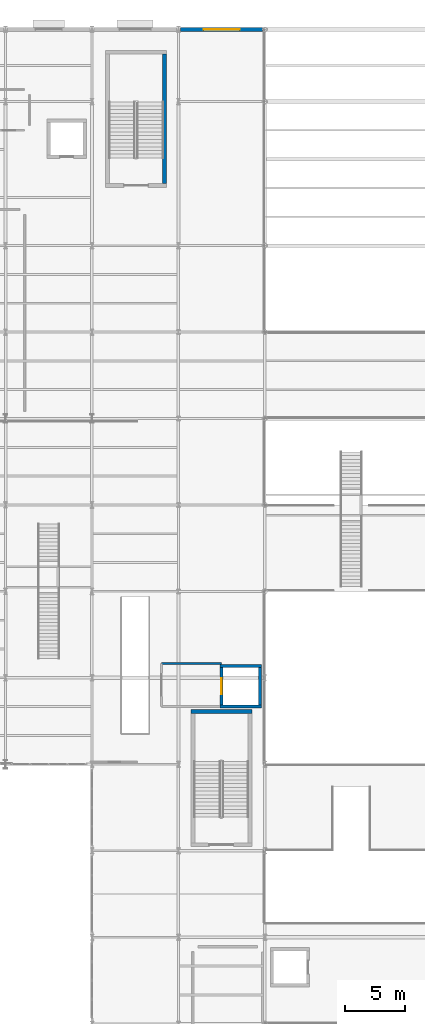
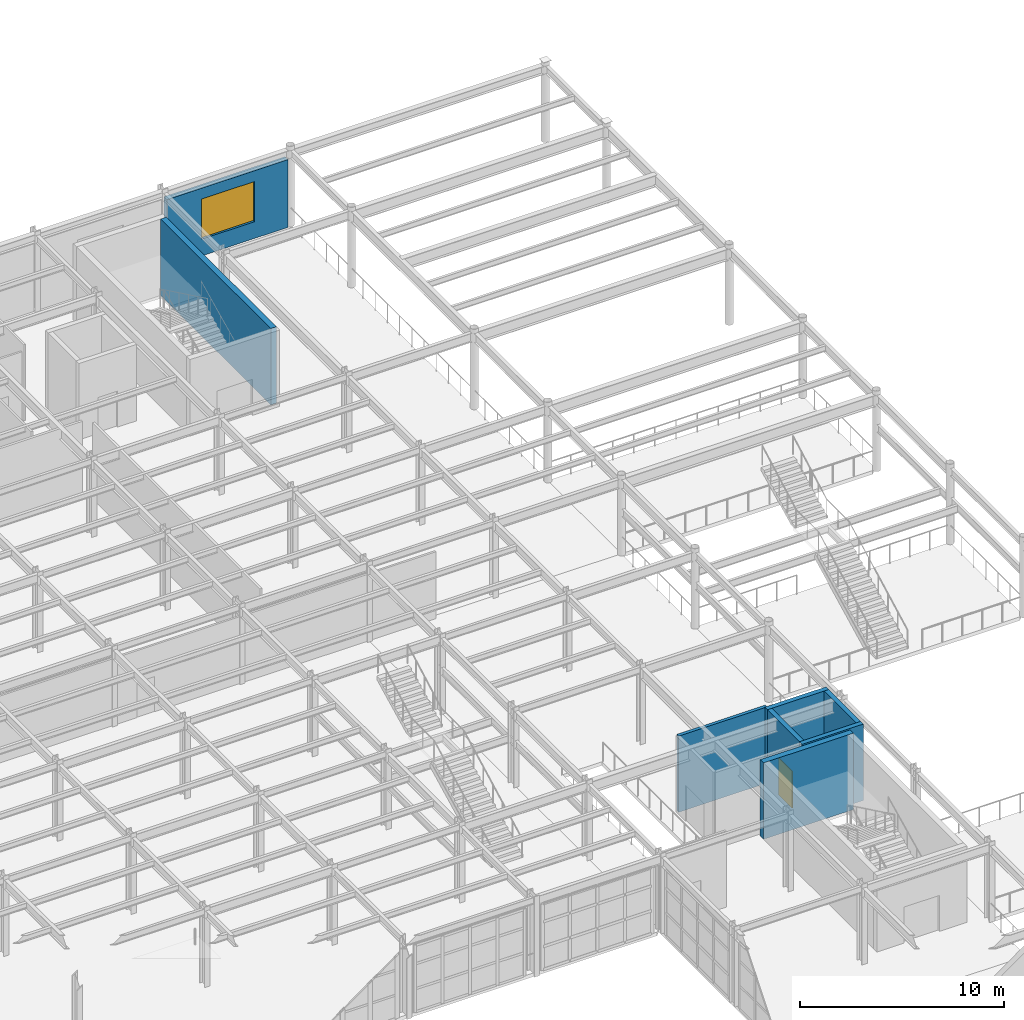
# One storey, part 98 of 121: 8 walls, 1 door, 1 window, 2 openings.
"""IFC4 building model written with IfcOpenShell, lengths in metres."""

from ifc_helpers import new_model, si_unit, direction, frame, frame_2d, origin, place, context, subcontext, project, spatial, rectangle, extrude, material, layer, layer_set, type_object, element, fill, save


model = new_model("IFC4")

# Units and contexts
model_context = context("Model", 3, precision=1e-05, world=origin(), true_north=direction((0.0, 1.0)))
body_context = subcontext(model_context, "Body", "Model", "MODEL_VIEW")
ifc_project = project(units=[si_unit("LENGTHUNIT", "METRE"), si_unit("AREAUNIT", "SQUARE_METRE"), si_unit("VOLUMEUNIT", "CUBIC_METRE"), si_unit("PLANEANGLEUNIT", "RADIAN"), si_unit("MASSUNIT", "GRAM", prefix="KILO")], contexts=[model_context])

# Site, building, storey
site_placement = place(None, origin())
site = spatial("IfcSite", under=ifc_project, at=site_placement, CompositionType="ELEMENT")
building_placement = place(site_placement, origin())
building = spatial("IfcBuilding", under=site, at=building_placement, Name="Solvadek Multi-Sports Hall", CompositionType="ELEMENT")
storey_placement = place(building_placement, frame((0.0, 0.0, 4.800048828125)))
storey = spatial("IfcBuildingStorey", under=building, at=storey_placement, Name="L01", CompositionType="ELEMENT", Elevation=4.800048828125)

# Wall, opening, window
ifc_material_1 = material(Name="Dressed honey-cream limestone ashlar", Category="masonry")
ifc_layer_1 = layer(ifc_material_1, 0.300048828125, Name="Dressed honey-cream limestone ashlar")
ifc_layer_set_1 = layer_set([ifc_layer_1], Name="Dressed honey-cream limestone ashlar")
wall_type_1 = type_object("IfcWallType", Name="ENV-WAL-EXT300", PredefinedType="SOLIDWALL", material=ifc_layer_set_1)
wall_1_placement = place(storey_placement, frame((64.9541015625, 110.39990234375, 0.0), z_axis=(0.0, 0.0, 1.0), x_axis=(1.0, 0.0, 0.0)))
wall_1 = element("IfcWall", 1, at=wall_1_placement, inside=storey, type_object=wall_type_1, Name="L01 Exterior Masonry Wall #193", PredefinedType="SOLIDWALL", context=body_context, shape_type="SweptSolid", body=[
    extrude(rectangle(XDim=6.838623046875, YDim=0.300048828125, at=frame_2d((3.41943359375, 0.0))), origin(), (0.0, 0.0, 1.0), 4.044921875),
])
opening_1_placement = place(wall_1_placement, frame((1.946044921875, 0.0, 1.0)))
opening_1 = element("IfcOpeningElement", 2, at=opening_1_placement, cuts=wall_1, Name="Opening WN-20", PredefinedType="OPENING", context=body_context, shape_type="SweptSolid", body=[
    extrude(rectangle(XDim=3.0, YDim=2.39990234375, at=frame_2d((1.5, 1.199951171875))), frame((0.0, 0.159912109375, 0.0), z_axis=(0.0, -1.0, 0.0), x_axis=(1.0, 0.0, 0.0)), (0.0, 0.0, 1.0), 0.320068359375),
])
ifc_material_2 = material(Name="Tempered laminated low-E glass", Category="glass")
window_type = type_object("IfcWindowType", Name="ENV-WIN-WN-20", PartitioningType="SINGLE_PANEL", PredefinedType="WINDOW", material=ifc_material_2)
window_placement = place(opening_1_placement, origin())
window = element("IfcWindow", 3, at=window_placement, inside=storey, type_object=window_type, Name="L01 Facade Window WN-20 #77", OverallHeight=2.39990234375, OverallWidth=3.0, PartitioningType="SINGLE_PANEL", PredefinedType="WINDOW", context=body_context, shape_type="SweptSolid", body=[
    extrude(rectangle(XDim=3.0, YDim=2.39990234375, at=frame_2d((1.5, 1.199951171875))), frame((0.0, 0.030029296875, 0.0), z_axis=(0.0, -1.0, 0.0), x_axis=(1.0, 0.0, 0.0)), (0.0, 0.0, 1.0), 0.06005859375),
])
fill(opening_1, window)

# Walls
ifc_material_3 = material(Name="Autoclaved aerated concrete blockwork", Category="masonry")
ifc_layer_2 = layer(ifc_material_3, 0.179931640625, Name="Autoclaved aerated concrete blockwork")
ifc_layer_set_2 = layer_set([ifc_layer_2], Name="Autoclaved aerated concrete blockwork")
wall_type_2 = type_object("IfcWallType", Name="INT-WAL-PRT180", PredefinedType="PARTITIONING", material=ifc_layer_set_2)
wall_2_placement = place(storey_placement, frame((63.39990234375, 57.60009765625, 0.0), z_axis=(0.0, 0.0, 1.0), x_axis=(1.0, 0.0, 0.0)))
element("IfcWall", 4, at=wall_2_placement, inside=storey, type_object=wall_type_2, Name="L01 Firefighting Lobby LF-02 Rated Wall N", PredefinedType="PARTITIONING", context=body_context, shape_type="SweptSolid", body=[
    extrude(rectangle(XDim=5.0, YDim=0.179931640625, at=frame_2d((2.5, 0.0))), origin(), (0.0, 0.0, 1.0), 4.544921875),
])
ifc_material_4 = material(Name="Concrete M40", Category="concrete")
ifc_layer_3 = layer(ifc_material_4, 0.260009765625, Name="Concrete M40")
ifc_layer_set_3 = layer_set([ifc_layer_3], Name="Concrete M40")
wall_type_3 = type_object("IfcWallType", Name="INT-WAL-SHR260", PredefinedType="SHEAR", material=ifc_layer_set_3)
for number, where, z_axis, x_axis, name in (
    (5, (68.27001953125, 54.0, 0.0), (0.0, 0.0, 1.0), (1.0, 0.0, 0.0), "Lift LF-02 Shaft Shear Wall L01 south"),
    (6, (68.27001953125, 57.39990234375, 0.0), (0.0, 0.0, 1.0), (1.0, 0.0, 0.0), "Lift LF-02 Shaft Shear Wall L01 north"),
):
    element("IfcWall", number, at=place(storey_placement, frame(where, z_axis=z_axis, x_axis=x_axis)), inside=storey, type_object=wall_type_3, Name=name, PredefinedType="SHEAR", context=body_context, shape_type="SweptSolid", body=[
        extrude(rectangle(XDim=3.4599609375, YDim=0.260009765625, at=frame_2d((1.72998046875, 0.0))), origin(), (0.0, 0.0, 1.0), 4.56005859375),
    ])

# Wall, opening, door
wall_3_placement = place(storey_placement, frame((68.39990234375, 54.1298828125, 0.0), z_axis=(0.0, 0.0, 1.0), x_axis=(0.0, 1.0, 0.0)))
wall_3 = element("IfcWall", 7, at=wall_3_placement, inside=storey, type_object=wall_type_3, Name="Lift LF-02 Shaft Shear Wall L01 west", PredefinedType="SHEAR", context=body_context, shape_type="SweptSolid", body=[
    extrude(rectangle(XDim=3.14013671875, YDim=0.260009765625, at=frame_2d((1.570068359375, 0.0))), origin(), (0.0, 0.0, 1.0), 4.56005859375),
])
opening_2_placement = place(wall_3_placement, frame((0.919921875, 0.0, 0.0)))
opening_2 = element("IfcOpeningElement", 8, at=opening_2_placement, cuts=wall_3, Name="Opening LD-08", PredefinedType="OPENING", context=body_context, shape_type="SweptSolid", body=[
    extrude(rectangle(XDim=1.300048828125, YDim=2.199951171875, at=frame_2d((0.64990234375, 1.10009765625))), frame((0.0, 0.139892578125, 0.0), z_axis=(0.0, -1.0, 0.0), x_axis=(1.0, 0.0, 0.0)), (0.0, 0.0, 1.0), 0.280029296875),
])
ifc_material_5 = material(Name="Anodised aluminium", Category="aluminium")
door_type = type_object("IfcDoorType", Name="INT-DOR-LD130X220", OperationType="DOUBLE_DOOR_SLIDING", PredefinedType="DOOR", material=ifc_material_5)
door_placement = place(opening_2_placement, origin())
door = element("IfcDoor", 9, at=door_placement, inside=storey, type_object=door_type, Name="L01 Lift LF-02 Sliding Landing Door LD-08", OperationType="DOUBLE_DOOR_SLIDING", OverallHeight=2.199951171875, OverallWidth=1.300048828125, PredefinedType="DOOR", context=body_context, shape_type="SweptSolid", body=[
    extrude(rectangle(XDim=1.300048828125, YDim=2.199951171875, at=frame_2d((0.64990234375, 1.10009765625))), frame((0.0, 0.02490234375, 0.0), z_axis=(0.0, -1.0, 0.0), x_axis=(1.0, 0.0, 0.0)), (0.0, 0.0, 1.0), 0.050048828125),
])
fill(opening_2, door)

# Walls
wall_4_placement = place(storey_placement, frame((71.60009765625, 54.1298828125, 0.0), z_axis=(0.0, 0.0, 1.0), x_axis=(0.0, 1.0, 0.0)))
element("IfcWall", 10, at=wall_4_placement, inside=storey, type_object=wall_type_3, Name="Lift LF-02 Shaft Shear Wall L01 east", PredefinedType="SHEAR", context=body_context, shape_type="SweptSolid", body=[
    extrude(rectangle(XDim=3.14013671875, YDim=0.260009765625, at=frame_2d((1.570068359375, 0.0))), origin(), (0.0, 0.0, 1.0), 4.56005859375),
])
ifc_layer_4 = layer(ifc_material_4, 0.320068359375, Name="Concrete M40")
ifc_layer_set_4 = layer_set([ifc_layer_4], Name="Concrete M40")
wall_type_4 = type_object("IfcWallType", Name="INT-WAL-SHR320", PredefinedType="SHEAR", material=ifc_layer_set_4)
wall_5_placement = place(storey_placement, frame((63.64990234375, 97.56005859375, 0.0), z_axis=(0.0, 0.0, 1.0), x_axis=(0.0, 1.0, 0.0)))
element("IfcWall", 11, at=wall_5_placement, inside=storey, type_object=wall_type_4, Name="L01 Stair ST-03 Shear Wall E", PredefinedType="SHEAR", context=body_context, shape_type="SweptSolid", body=[
    extrude(rectangle(XDim=10.780029296875, YDim=0.320068359375, at=frame_2d((5.39013671875, 0.0))), origin(), (0.0, 0.0, 1.0), 4.56005859375),
])
wall_6_placement = place(storey_placement, frame((65.840087890625, 53.60009765625, 0.0), z_axis=(0.0, 0.0, 1.0), x_axis=(1.0, 0.0, 0.0)))
element("IfcWall", 12, at=wall_6_placement, inside=storey, type_object=wall_type_4, Name="L01 Stair ST-04 Shear Wall N", PredefinedType="SHEAR", context=body_context, shape_type="SweptSolid", body=[
    extrude(rectangle(XDim=5.06982421875, YDim=0.320068359375, at=frame_2d((2.534912109375, 0.0))), origin(), (0.0, 0.0, 1.0), 4.56005859375),
])

save(model, "model.ifc")
